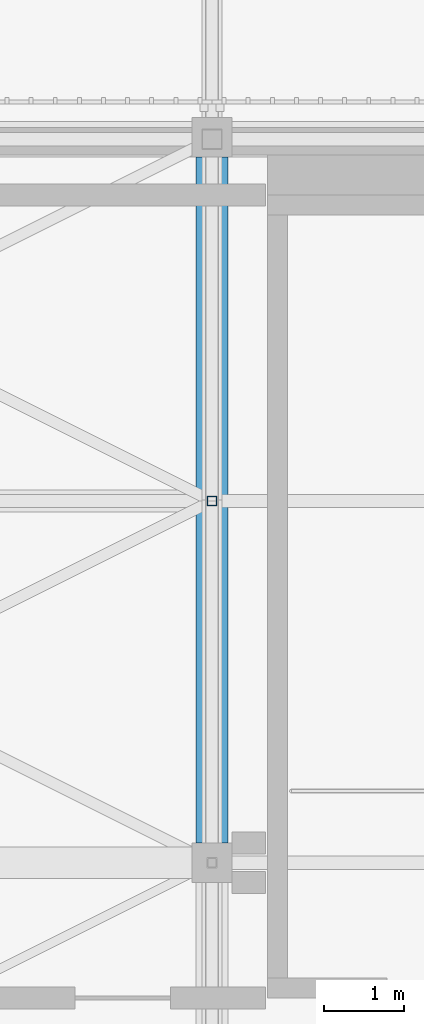
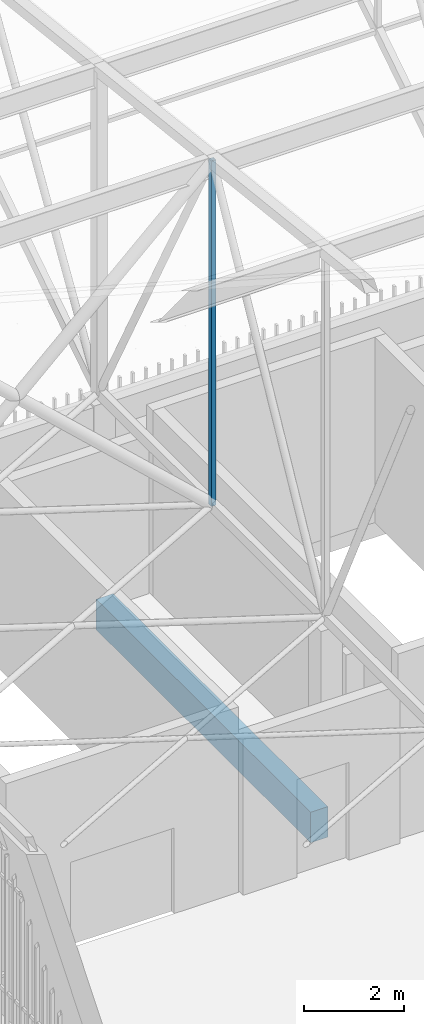
# One storey, part 231 of 500: 1 beam, 1 member.
"""IFC4 building model written with IfcOpenShell, lengths in metres."""

from ifc_helpers import new_model, si_unit, direction, frame, origin, origin_2d, place, context, subcontext, project, spatial, rectangle, hollow_rectangle, extrude, material, material_profile, profile_set, type_object, element, save


model = new_model("IFC4")

# Units and contexts
model_context = context("Model", 3, precision=1e-05, world=origin(), true_north=direction((0.0, 1.0)))
body_context = subcontext(model_context, "Body", "Model", "MODEL_VIEW")
ifc_project = project(units=[si_unit("LENGTHUNIT", "METRE"), si_unit("AREAUNIT", "SQUARE_METRE"), si_unit("VOLUMEUNIT", "CUBIC_METRE"), si_unit("PLANEANGLEUNIT", "RADIAN"), si_unit("MASSUNIT", "GRAM", prefix="KILO")], contexts=[model_context])

# Site, building, storey
site_placement = place(None, origin())
site = spatial("IfcSite", under=ifc_project, at=site_placement, CompositionType="ELEMENT")
building_placement = place(site_placement, origin())
building = spatial("IfcBuilding", under=site, at=building_placement, Name="Shirokan Park Arena", CompositionType="ELEMENT")
storey_placement = place(building_placement, frame((0.0, 0.0, 29.1201171875)))
storey = spatial("IfcBuildingStorey", under=building, at=storey_placement, Name="L06", CompositionType="ELEMENT", Elevation=29.1201171875)

# Beam
ifc_material_1 = material(Name="Concrete C35", Category="concrete")
ifc_material_profile_1 = material_profile(ifc_material_1, rectangle(XDim=0.39990234375, YDim=0.75, at=origin_2d()), Name="400x750")
ifc_profile_set_1 = profile_set([ifc_material_profile_1], Name="Concrete C35")
beam_type = type_object("IfcBeamType", Name="RC girder 400x750", PredefinedType="BEAM", material=ifc_profile_set_1)
beam_placement = place(storey_placement, frame((9.10009765625, 100.35009765625, -0.5751953125), z_axis=(0.0, 1.0, 0.0), x_axis=(-1.0, 0.0, 0.0)))
element("IfcBeam", 1, at=beam_placement, inside=storey, type_object=beam_type, Name="Girder 2M-2N L06", PredefinedType="BEAM", context=body_context, shape_type="SweptSolid", body=[
    extrude(rectangle(XDim=0.39990234375, YDim=0.75, at=origin_2d()), origin(), (0.0, 0.0, 1.0), 8.624755859375),
])

# Member
ifc_material_2 = material(Name="Steel ASTM A500 Grade C", Category="steel")
ifc_material_profile_2 = material_profile(ifc_material_2, hollow_rectangle(XDim=0.114013671875, YDim=0.114013671875, WallThickness=0.00634765625, at=origin_2d()), Name="HSS114.3X114.3X6.4")
ifc_profile_set_2 = profile_set([ifc_material_profile_2], Name="Steel ASTM A500 Grade C")
member_type = type_object("IfcMemberType", Name="Truss post HSS114.3X114.3X6.4", PredefinedType="POST", material=ifc_profile_set_2)
member_placement = place(storey_placement, frame((9.10009765625, 104.64990234375, 4.677001953125), z_axis=(0.0, 0.0, 1.0), x_axis=(1.0, 0.0, 0.0)))
element("IfcMember", 2, at=member_placement, inside=storey, type_object=member_type, Name="Truss T02 post 26", PredefinedType="POST", context=body_context, shape_type="SweptSolid", body=[
    extrude(hollow_rectangle(XDim=0.114013671875, YDim=0.114013671875, WallThickness=0.00634765625, at=origin_2d()), origin(), (0.0, 0.0, 1.0), 8.4658203125),
])

save(model, "model.ifc")
